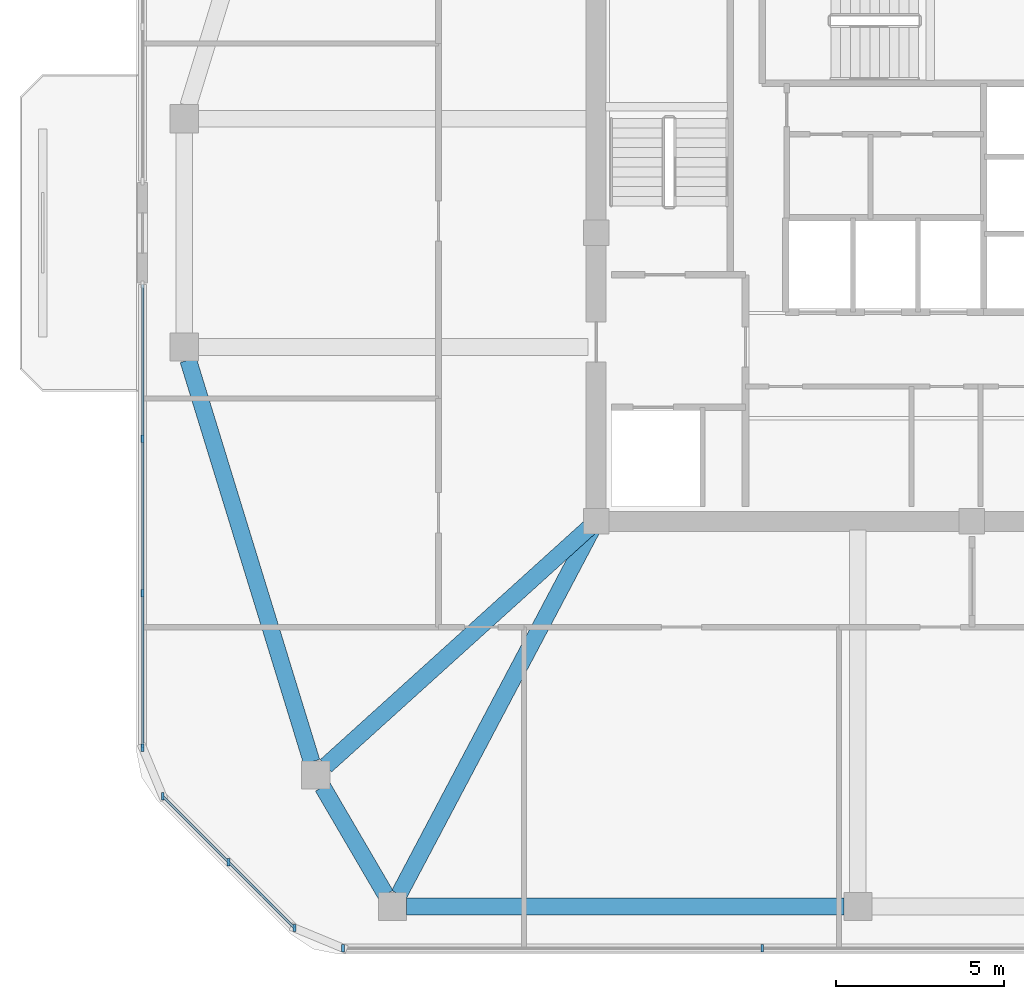
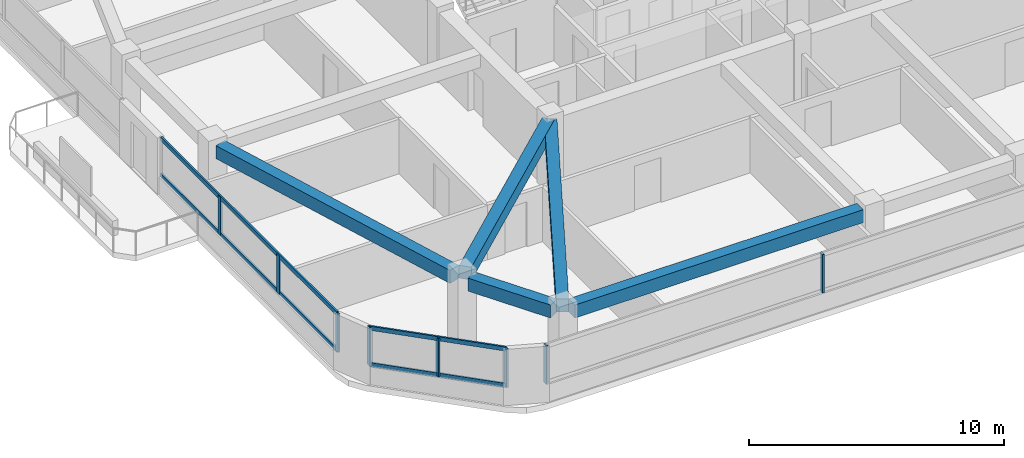
# One storey, part 2 of 14: 12 members, 5 beams, 3 elements without a shape of their own.
"""IFC4 building model written with IfcOpenShell, lengths in metres."""

from ifc_helpers import new_model, si_unit, derived_unit, direction, frame, origin, origin_2d, place, context, subcontext, project, spatial, rectangle, extrude, material, material_profile, profile_set, type_object, element, aggregate, save


model = new_model("IFC4")

# Units and contexts
model_context = context("Model", 3, precision=1e-05, world=origin(), true_north=direction((0.0, 1.0)))
body_context = subcontext(model_context, "Body", "Model", "MODEL_VIEW")
ifc_project = project(units=[si_unit("LENGTHUNIT", "METRE"), si_unit("AREAUNIT", "SQUARE_METRE"), si_unit("VOLUMEUNIT", "CUBIC_METRE"), si_unit("PLANEANGLEUNIT", "RADIAN"), si_unit("MASSUNIT", "GRAM", prefix="KILO"), derived_unit("THERMALTRANSMITTANCEUNIT", [(si_unit("POWERUNIT", "WATT"), 1), (si_unit("LENGTHUNIT", "METRE"), -2), (si_unit("THERMODYNAMICTEMPERATUREUNIT", "KELVIN"), -1)])], contexts=[model_context])

# Site, building, storey
site_placement = place(None, origin())
site = spatial("IfcSite", under=ifc_project, at=site_placement, CompositionType="ELEMENT")
building_placement = place(site_placement, origin())
building = spatial("IfcBuilding", under=site, at=building_placement, Name="Koralith Skygarden Medical Center", CompositionType="ELEMENT")
storey_placement = place(building_placement, frame((0.0, 0.0, 257.219970703125)))
storey = spatial("IfcBuildingStorey", under=building, at=storey_placement, Name="L66", CompositionType="ELEMENT", Elevation=257.219970703125)

# Curtain wall, members
ifc_material_1 = material(Name="Clear Laminated Glass", Category="glass")
curtain_wall_type = type_object("IfcCurtainWallType", Name="CW-6 Zone 5 Upper Clinical Curtain Wall", PredefinedType="NOTDEFINED", material=ifc_material_1)
curtain_wall_1_placement = place(storey_placement, origin())
curtain_wall_1 = element("IfcCurtainWall", 1, at=curtain_wall_1_placement, inside=storey, type_object=curtain_wall_type, Name="Curtain Wall CW-L66-S", PredefinedType="NOTDEFINED")
ifc_material_2 = material(Name="Aluminium 6063-T6", Category="aluminium")
ifc_material_profile_1 = material_profile(ifc_material_2, rectangle(XDim=0.0830078125, YDim=0.219970703125, at=origin_2d()), Name="MUL83X220")
ifc_profile_set_1 = profile_set([ifc_material_profile_1], Name="Aluminium 6063-T6")
member_type_1 = type_object("IfcMemberType", Name="CW-6 Extruded Mullion 83x220", PredefinedType="MULLION", material=ifc_profile_set_1)
member_1_placement = place(storey_placement, frame((18.2548828125, 4.580078125, 0.85009765625), z_axis=(0.0, 0.0, 1.0), x_axis=(1.0, 0.0, 0.0)))
member_1 = element("IfcMember", 2, at=member_1_placement, type_object=member_type_1, Name="CW-L66-S Mullion 1", PredefinedType="MULLION", context=body_context, shape_type="SweptSolid", body=[
    extrude(rectangle(XDim=0.0830078125, YDim=0.219970703125, at=origin_2d()), origin(), (0.0, 0.0, 1.0), 1.83984375),
])
member_2_placement = place(storey_placement, frame((30.751953125, 4.580078125, 0.85009765625), z_axis=(0.0, 0.0, 1.0), x_axis=(1.0, 0.0, 0.0)))
member_2 = element("IfcMember", 3, at=member_2_placement, type_object=member_type_1, Name="CW-L66-S Mullion 2", PredefinedType="MULLION", context=body_context, shape_type="SweptSolid", body=[
    extrude(rectangle(XDim=0.0830078125, YDim=0.219970703125, at=origin_2d()), origin(), (0.0, 0.0, 1.0), 1.83984375),
])
aggregate(curtain_wall_1, [member_1, member_2])

curtain_wall_2_placement = place(storey_placement, origin())
curtain_wall_2 = element("IfcCurtainWall", 4, at=curtain_wall_2_placement, inside=storey, type_object=curtain_wall_type, Name="Curtain Wall CW-L66-W-R", PredefinedType="NOTDEFINED")
member_3_placement = place(storey_placement, frame((12.280029296875, 19.758056640625, 0.85009765625), z_axis=(0.0, 0.0, 1.0), x_axis=(1.0, 0.0, 0.0)))
member_3 = element("IfcMember", 5, at=member_3_placement, type_object=member_type_1, Name="CW-L66-W-R Mullion 2", PredefinedType="MULLION", context=body_context, shape_type="SweptSolid", body=[
    extrude(rectangle(XDim=0.0830078125, YDim=0.219970703125, at=origin_2d()), origin(), (0.0, 0.0, 1.0), 1.83984375),
])
member_4_placement = place(storey_placement, frame((12.280029296875, 15.156982421875, 0.85009765625), z_axis=(0.0, 0.0, 1.0), x_axis=(1.0, 0.0, 0.0)))
member_4 = element("IfcMember", 6, at=member_4_placement, type_object=member_type_1, Name="CW-L66-W-R Mullion 3", PredefinedType="MULLION", context=body_context, shape_type="SweptSolid", body=[
    extrude(rectangle(XDim=0.0830078125, YDim=0.219970703125, at=origin_2d()), origin(), (0.0, 0.0, 1.0), 1.83984375),
])
member_5_placement = place(storey_placement, frame((12.280029296875, 10.554931640625, 0.85009765625), z_axis=(0.0, 0.0, 1.0), x_axis=(1.0, 0.0, 0.0)))
member_5 = element("IfcMember", 7, at=member_5_placement, type_object=member_type_1, Name="CW-L66-W-R Mullion 4", PredefinedType="MULLION", context=body_context, shape_type="SweptSolid", body=[
    extrude(rectangle(XDim=0.0830078125, YDim=0.219970703125, at=origin_2d()), origin(), (0.0, 0.0, 1.0), 1.83984375),
])

curtain_wall_3_placement = place(storey_placement, origin())
curtain_wall_3 = element("IfcCurtainWall", 8, at=curtain_wall_3_placement, inside=storey, type_object=curtain_wall_type, Name="Curtain Wall CW-L66-SW", PredefinedType="NOTDEFINED")
member_6_placement = place(storey_placement, frame((12.881103515625, 9.10400390625, 0.85009765625), z_axis=(0.0, 0.0, 1.0), x_axis=(1.0, 0.0, 0.0)))
member_6 = element("IfcMember", 9, at=member_6_placement, type_object=member_type_1, Name="CW-L66-SW Mullion 1", PredefinedType="MULLION", context=body_context, shape_type="SweptSolid", body=[
    extrude(rectangle(XDim=0.0830078125, YDim=0.219970703125, at=origin_2d()), origin(), (0.0, 0.0, 1.0), 1.83984375),
])
member_7_placement = place(storey_placement, frame((14.842041015625, 7.14306640625, 0.85009765625), z_axis=(0.0, 0.0, 1.0), x_axis=(1.0, 0.0, 0.0)))
member_7 = element("IfcMember", 10, at=member_7_placement, type_object=member_type_1, Name="CW-L66-SW Mullion 2", PredefinedType="MULLION", context=body_context, shape_type="SweptSolid", body=[
    extrude(rectangle(XDim=0.0830078125, YDim=0.219970703125, at=origin_2d()), origin(), (0.0, 0.0, 1.0), 1.83984375),
])
member_8_placement = place(storey_placement, frame((16.803955078125, 5.180908203125, 0.85009765625), z_axis=(0.0, 0.0, 1.0), x_axis=(1.0, 0.0, 0.0)))
member_8 = element("IfcMember", 11, at=member_8_placement, type_object=member_type_1, Name="CW-L66-SW Mullion 3", PredefinedType="MULLION", context=body_context, shape_type="SweptSolid", body=[
    extrude(rectangle(XDim=0.0830078125, YDim=0.219970703125, at=origin_2d()), origin(), (0.0, 0.0, 1.0), 1.83984375),
])

# Member
ifc_material_profile_2 = material_profile(ifc_material_2, rectangle(XDim=0.077880859375, YDim=0.197998046875, at=origin_2d()), Name="TRN78X198")
ifc_profile_set_2 = profile_set([ifc_material_profile_2], Name="Aluminium 6063-T6")
member_type_2 = type_object("IfcMemberType", Name="CW-6 Thermal Transom 78x198", PredefinedType="USERDEFINED", material=ifc_profile_set_2)
member_9_placement = place(storey_placement, frame((12.280029296875, 24.360107421875, 0.900146484375), z_axis=(0.0, -1.0, 0.0), x_axis=(1.0, 0.0, 0.0)))
member_9 = element("IfcMember", 12, at=member_9_placement, type_object=member_type_2, Name="CW-L66-W-R Transom 1", ObjectType="TRANSOM", PredefinedType="USERDEFINED", context=body_context, shape_type="SweptSolid", body=[
    extrude(rectangle(XDim=0.077880859375, YDim=0.197998046875, at=origin_2d()), origin(), (0.0, 0.0, 1.0), 13.80517578125),
])

member_10_placement = place(storey_placement, frame((12.280029296875, 24.360107421875, 2.64013671875), z_axis=(0.0, -1.0, 0.0), x_axis=(1.0, 0.0, 0.0)))
member_10 = element("IfcMember", 13, at=member_10_placement, type_object=member_type_2, Name="CW-L66-W-R Transom 2", ObjectType="TRANSOM", PredefinedType="USERDEFINED", context=body_context, shape_type="SweptSolid", body=[
    extrude(rectangle(XDim=0.077880859375, YDim=0.197998046875, at=origin_2d()), origin(), (0.0, 0.0, 1.0), 13.80517578125),
])

aggregate(curtain_wall_2, [member_3, member_4, member_5, member_9, member_10])

member_11_placement = place(storey_placement, frame((12.881103515625, 9.10400390625, 0.900146484375), z_axis=(0.707084777957, -0.707128783731, 0.0), x_axis=(0.707128783731, 0.707084777957, 0.0)))
member_11 = element("IfcMember", 14, at=member_11_placement, type_object=member_type_2, Name="CW-L66-SW Transom 1", ObjectType="TRANSOM", PredefinedType="USERDEFINED", context=body_context, shape_type="SweptSolid", body=[
    extrude(rectangle(XDim=0.077880859375, YDim=0.197998046875, at=origin_2d()), origin(), (0.0, 0.0, 1.0), 5.5478515625),
])

member_12_placement = place(storey_placement, frame((12.881103515625, 9.10400390625, 2.64013671875), z_axis=(0.707084777957, -0.707128783731, 0.0), x_axis=(0.707128783731, 0.707084777957, 0.0)))
member_12 = element("IfcMember", 15, at=member_12_placement, type_object=member_type_2, Name="CW-L66-SW Transom 2", ObjectType="TRANSOM", PredefinedType="USERDEFINED", context=body_context, shape_type="SweptSolid", body=[
    extrude(rectangle(XDim=0.077880859375, YDim=0.197998046875, at=origin_2d()), origin(), (0.0, 0.0, 1.0), 5.5478515625),
])

aggregate(curtain_wall_3, [member_6, member_7, member_8, member_11, member_12])

# Beams
ifc_material_3 = material(Name="Concrete C45/55", Category="concrete")
ifc_material_profile_3 = material_profile(ifc_material_3, rectangle(XDim=0.5, YDim=0.6201171875, at=origin_2d()), Name="RCB500X620")
ifc_profile_set_3 = profile_set([ifc_material_profile_3], Name="Concrete C45/55")
beam_type_1 = type_object("IfcBeamType", Name="Upper Radial Collector Beam RCB500X620", PredefinedType="BEAM", material=ifc_profile_set_3)
beam_1_placement = place(storey_placement, frame((25.614990234375, 17.132080078125, 3.010009765625), z_axis=(-0.741736323186, -0.670691603397, 0.0), x_axis=(0.670691603397, -0.741736323186, 0.0)))
element("IfcBeam", 16, at=beam_1_placement, inside=storey, type_object=beam_type_1, Name="L66 Radial Collector Beam RB-02", PredefinedType="BEAM", context=body_context, shape_type="SweptSolid", body=[
    extrude(rectangle(XDim=0.5, YDim=0.6201171875, at=origin_2d()), origin(), (0.0, 0.0, 1.0), 10.61181640625),
])
beam_2_placement = place(storey_placement, frame((25.68310546875, 17.0791015625, 3.010009765625), z_axis=(-0.46724871287, -0.884125918816, 0.0), x_axis=(0.884125918816, -0.46724871287, 0.0)))
element("IfcBeam", 17, at=beam_2_placement, inside=storey, type_object=beam_type_1, Name="L66 Radial Collector Beam RB-03", PredefinedType="BEAM", context=body_context, shape_type="SweptSolid", body=[
    extrude(rectangle(XDim=0.5, YDim=0.6201171875, at=origin_2d()), origin(), (0.0, 0.0, 1.0), 12.325439453125),
])
ifc_material_profile_4 = material_profile(ifc_material_3, rectangle(XDim=0.5, YDim=0.6201171875, at=origin_2d()), Name="RCB500X620")
ifc_profile_set_4 = profile_set([ifc_material_profile_4], Name="Concrete C45/55")
beam_type_2 = type_object("IfcBeamType", Name="Zone 4-5 Spandrel Beam RCB500X620", PredefinedType="SPANDREL", material=ifc_profile_set_4)
beam_3_placement = place(storey_placement, frame((13.639892578125, 22.10791015625, 3.010009765625), z_axis=(0.293743494914, -0.955884281279, 0.0), x_axis=(0.955884281279, 0.293743494914, 0.0)))
element("IfcBeam", 18, at=beam_3_placement, inside=storey, type_object=beam_type_2, Name="L66 Perimeter Spandrel Beam SP-01", PredefinedType="SPANDREL", context=body_context, shape_type="SweptSolid", body=[
    extrude(rectangle(XDim=0.5, YDim=0.6201171875, at=origin_2d()), origin(), (0.0, 0.0, 1.0), 12.528564453125),
])
beam_4_placement = place(storey_placement, frame((17.64697265625, 9.385986328125, 3.010009765625), z_axis=(0.50473571007, -0.863273921175, 0.0), x_axis=(0.863273921175, 0.50473571007, 0.0)))
element("IfcBeam", 19, at=beam_4_placement, inside=storey, type_object=beam_type_2, Name="L66 Perimeter Spandrel Beam SP-02", PredefinedType="SPANDREL", context=body_context, shape_type="SweptSolid", body=[
    extrude(rectangle(XDim=0.5, YDim=0.6201171875, at=origin_2d()), origin(), (0.0, 0.0, 1.0), 3.720703125),
])
beam_5_placement = place(storey_placement, frame((20.14208984375, 5.820068359375, 3.010009765625), z_axis=(1.0, 0.0, 0.0), x_axis=(0.0, 1.0, 0.0)))
element("IfcBeam", 20, at=beam_5_placement, inside=storey, type_object=beam_type_2, Name="L66 Perimeter Spandrel Beam SP-03", PredefinedType="SPANDREL", context=body_context, shape_type="SweptSolid", body=[
    extrude(rectangle(XDim=0.5, YDim=0.6201171875, at=origin_2d()), origin(), (0.0, 0.0, 1.0), 13.0478515625),
])

save(model, "model.ifc")
